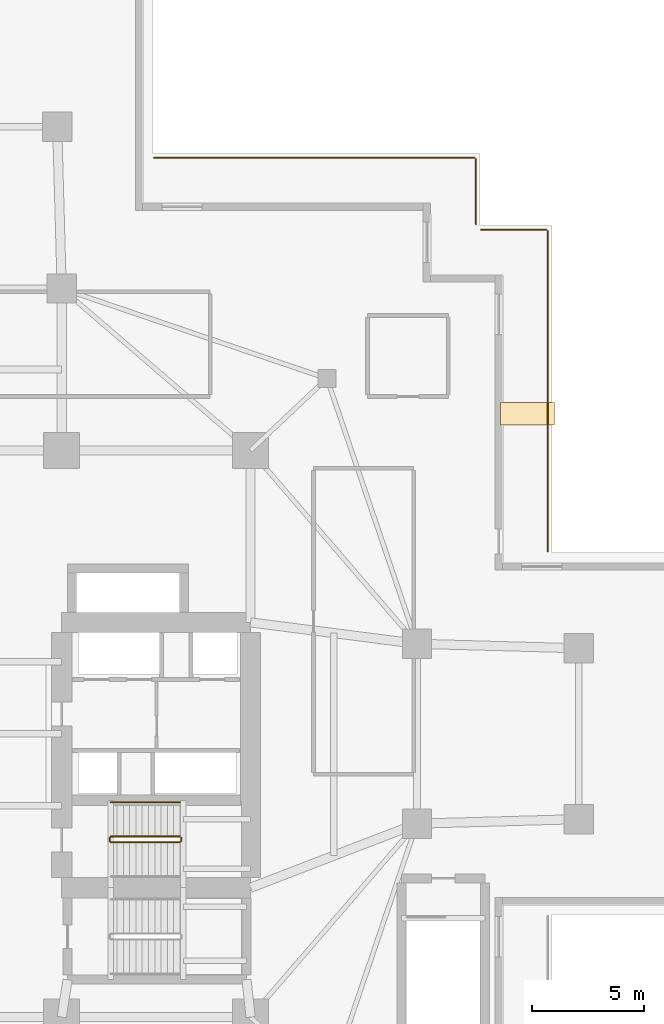
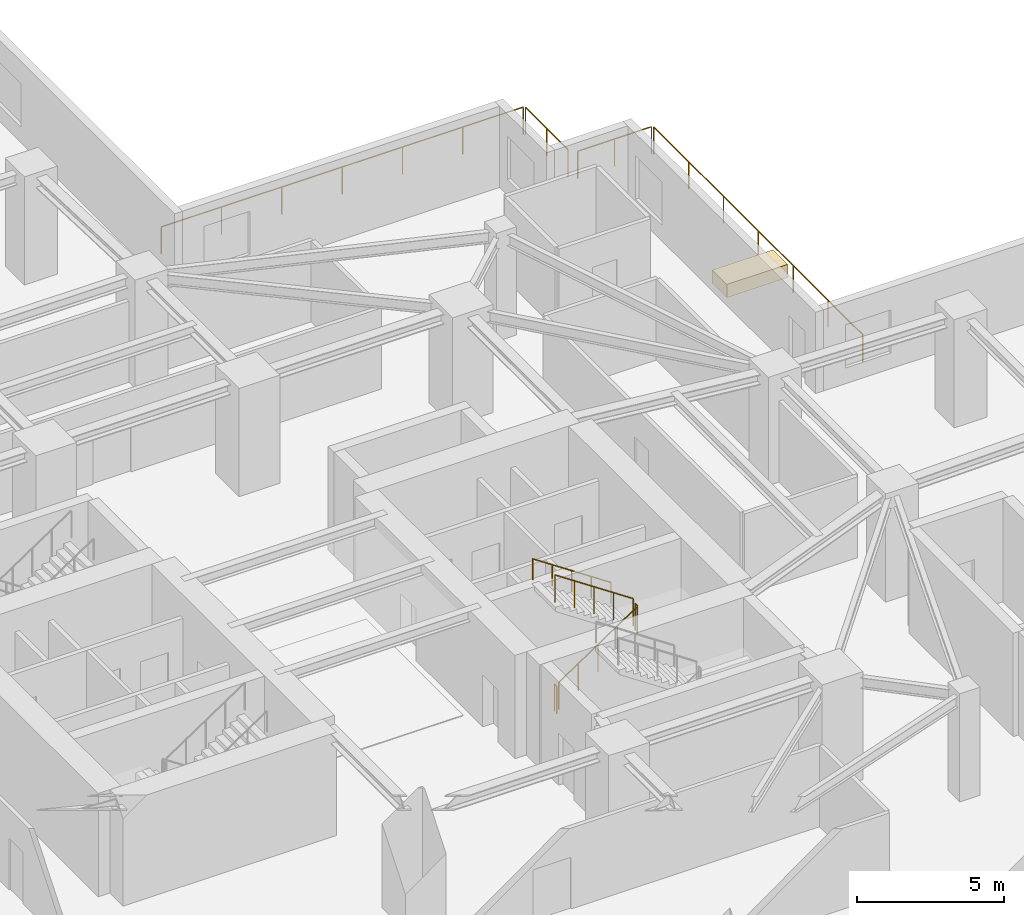
# One storey, part 23 of 24: 9 railings, 1 covering.
"""IFC4 building model written with IfcOpenShell, lengths in metres."""

from ifc_helpers import new_model, si_unit, direction, frame, origin, origin_2d, place, context, subcontext, project, spatial, rectangle, circle, extrude, material, layer, layer_set, type_object, element, save


model = new_model("IFC4")

# Units and contexts
model_context = context("Model", 3, precision=1e-05, world=origin(), true_north=direction((0.0, 1.0)))
body_context = subcontext(model_context, "Body", "Model", "MODEL_VIEW")
ifc_project = project(units=[si_unit("LENGTHUNIT", "METRE"), si_unit("AREAUNIT", "SQUARE_METRE"), si_unit("VOLUMEUNIT", "CUBIC_METRE"), si_unit("PLANEANGLEUNIT", "RADIAN"), si_unit("MASSUNIT", "GRAM", prefix="KILO")], contexts=[model_context])

# Site, building, storey
site_placement = place(None, origin())
site = spatial("IfcSite", under=ifc_project, at=site_placement, CompositionType="ELEMENT")
building_placement = place(site_placement, origin())
building = spatial("IfcBuilding", under=site, at=building_placement, Name="Qingluan Cross Belvedere", CompositionType="ELEMENT")
storey_placement = place(building_placement, frame((0.0, 0.0, 19.199951171875)))
storey = spatial("IfcBuildingStorey", under=building, at=storey_placement, Name="L05", CompositionType="ELEMENT", Elevation=19.199951171875)

# Railings
ifc_material_1 = material(Name="Brushed stainless steel tubular handrail", Category="steel")
railing_type_1 = type_object("IfcRailingType", Name="StairPitchHandrail_900", PredefinedType="HANDRAIL", material=ifc_material_1)
railing_1_placement = place(storey_placement, frame((9.260009765625, -3.050048828125, 2.4375)))
element("IfcRailing", 1, at=railing_1_placement, inside=storey, type_object=railing_type_1, Name="L05 ST2 stair handrail 2", PredefinedType="HANDRAIL", context=body_context, shape_type="SweptSolid", body=[
    extrude(circle(Radius=0.02392578125, at=origin_2d()), frame((0.0, 0.0, 0.8759765625), z_axis=(-0.830913701846, 0.0, 0.55640131208), x_axis=(0.0, -1.0, 0.0)), (0.0, 0.0, 1.0), 3.706787109375),
    extrude(circle(Radius=0.02099609375, at=origin_2d()), origin(), (0.0, 0.0, 1.0), 0.851806640625),
    extrude(circle(Radius=0.02099609375, at=origin_2d()), frame((-0.77001953125, 0.0, 0.515625)), (0.0, 0.0, 1.0), 0.851806640625),
    extrude(circle(Radius=0.02099609375, at=origin_2d()), frame((-1.5400390625, 0.0, 1.03125)), (0.0, 0.0, 1.0), 0.851806640625),
    extrude(circle(Radius=0.02099609375, at=origin_2d()), frame((-2.31005859375, 0.0, 1.546875)), (0.0, 0.0, 1.0), 0.851806640625),
    extrude(circle(Radius=0.02099609375, at=origin_2d()), frame((-3.080078125, 0.0, 2.0625)), (0.0, 0.0, 1.0), 0.851806640625),
])
ifc_material_2 = material(Name="Painted steel stair well guard", Category="steel")
railing_type_2 = type_object("IfcRailingType", Name="StairWellGuard_1150", PredefinedType="BALUSTRADE", material=ifc_material_2)
railing_2_placement = place(storey_placement, frame((6.179931640625, -4.830078125, 0.1875)))
element("IfcRailing", 2, at=railing_2_placement, inside=storey, type_object=railing_type_2, Name="L05 ST2 stair guard 1", PredefinedType="BALUSTRADE", context=body_context, shape_type="SweptSolid", body=[
    extrude(circle(Radius=0.02392578125, at=origin_2d()), frame((0.0, 0.0, 1.1259765625), z_axis=(0.830913701846, 0.0, 0.55640131208), x_axis=(0.0, 1.0, 0.0)), (0.0, 0.0, 1.0), 3.706787109375),
    extrude(circle(Radius=0.02099609375, at=origin_2d()), origin(), (0.0, 0.0, 1.0), 1.101806640625),
    extrude(circle(Radius=0.02099609375, at=origin_2d()), frame((0.77001953125, 0.0, 0.515625)), (0.0, 0.0, 1.0), 1.101806640625),
    extrude(circle(Radius=0.02099609375, at=origin_2d()), frame((1.5400390625, 0.0, 1.03125)), (0.0, 0.0, 1.0), 1.101806640625),
    extrude(circle(Radius=0.02099609375, at=origin_2d()), frame((2.31005859375, 0.0, 1.546875)), (0.0, 0.0, 1.0), 1.101806640625),
    extrude(circle(Radius=0.02099609375, at=origin_2d()), frame((3.080078125, 0.0, 2.0625)), (0.0, 0.0, 1.0), 1.101806640625),
])
railing_3_placement = place(storey_placement, frame((9.31005859375, -4.780029296875, 2.25)))
element("IfcRailing", 3, at=railing_3_placement, inside=storey, type_object=railing_type_2, Name="L05 ST2 stair guard 2", PredefinedType="BALUSTRADE", context=body_context, shape_type="SweptSolid", body=[
    extrude(circle(Radius=0.02392578125, at=origin_2d()), frame((0.0, 0.0, 1.1259765625), z_axis=(0.0, 1.0, 0.0), x_axis=(-1.0, 0.0, 0.0)), (0.0, 0.0, 1.0), 0.159912109375),
    extrude(circle(Radius=0.02099609375, at=origin_2d()), origin(), (0.0, 0.0, 1.0), 1.101806640625),
    extrude(circle(Radius=0.02099609375, at=origin_2d()), frame((0.0, 0.159912109375, 0.0)), (0.0, 0.0, 1.0), 1.101806640625),
])
railing_4_placement = place(storey_placement, frame((9.260009765625, -4.570068359375, 2.4375)))
element("IfcRailing", 4, at=railing_4_placement, inside=storey, type_object=railing_type_2, Name="L05 ST2 stair guard 3", PredefinedType="BALUSTRADE", context=body_context, shape_type="SweptSolid", body=[
    extrude(circle(Radius=0.02392578125, at=origin_2d()), frame((0.0, 0.0, 1.1259765625), z_axis=(-0.830913701846, 0.0, 0.55640131208), x_axis=(0.0, -1.0, 0.0)), (0.0, 0.0, 1.0), 3.706787109375),
    extrude(circle(Radius=0.02099609375, at=origin_2d()), origin(), (0.0, 0.0, 1.0), 1.101806640625),
    extrude(circle(Radius=0.02099609375, at=origin_2d()), frame((-0.77001953125, 0.0, 0.515625)), (0.0, 0.0, 1.0), 1.101806640625),
    extrude(circle(Radius=0.02099609375, at=origin_2d()), frame((-1.5400390625, 0.0, 1.03125)), (0.0, 0.0, 1.0), 1.101806640625),
    extrude(circle(Radius=0.02099609375, at=origin_2d()), frame((-2.31005859375, 0.0, 1.546875)), (0.0, 0.0, 1.0), 1.101806640625),
    extrude(circle(Radius=0.02099609375, at=origin_2d()), frame((-3.080078125, 0.0, 2.0625)), (0.0, 0.0, 1.0), 1.101806640625),
])
railing_5_placement = place(storey_placement, frame((6.1298828125, -4.780029296875, 0.0)))
element("IfcRailing", 5, at=railing_5_placement, inside=storey, type_object=railing_type_2, Name="L05 ST2 stair guard 4", PredefinedType="BALUSTRADE", context=body_context, shape_type="SweptSolid", body=[
    extrude(circle(Radius=0.02392578125, at=origin_2d()), frame((0.0, 0.0, 1.1259765625), z_axis=(0.0, 1.0, 0.0), x_axis=(-1.0, 0.0, 0.0)), (0.0, 0.0, 1.0), 0.159912109375),
    extrude(circle(Radius=0.02099609375, at=origin_2d()), origin(), (0.0, 0.0, 1.0), 1.101806640625),
    extrude(circle(Radius=0.02099609375, at=origin_2d()), frame((0.0, 0.159912109375, 0.0)), (0.0, 0.0, 1.0), 1.101806640625),
])
ifc_material_3 = material(Name="Laminated glass and stainless steel balustrade", Category="steel")
railing_type_3 = type_object("IfcRailingType", Name="TerraceGuardBalustrade_1150", PredefinedType="BALUSTRADE", material=ifc_material_3)
railing_6_placement = place(storey_placement, frame((8.110107421875, 25.6201171875, 0.0)))
element("IfcRailing", 6, at=railing_6_placement, inside=storey, type_object=railing_type_3, Name="Terrace guard L05-2", PredefinedType="BALUSTRADE", context=body_context, shape_type="SweptSolid", body=[
    extrude(circle(Radius=0.02392578125, at=origin_2d()), frame((0.0, 0.0, 1.1259765625), z_axis=(1.0, 0.0, 0.0), x_axis=(0.0, 1.0, 0.0)), (0.0, 0.0, 1.0), 14.25),
    extrude(circle(Radius=0.02099609375, at=origin_2d()), origin(), (0.0, 0.0, 1.0), 1.101806640625),
    extrude(circle(Radius=0.02099609375, at=origin_2d()), frame((2.375, 0.0, 0.0)), (0.0, 0.0, 1.0), 1.101806640625),
    extrude(circle(Radius=0.02099609375, at=origin_2d()), frame((4.75, 0.0, 0.0)), (0.0, 0.0, 1.0), 1.101806640625),
    extrude(circle(Radius=0.02099609375, at=origin_2d()), frame((7.125, 0.0, 0.0)), (0.0, 0.0, 1.0), 1.101806640625),
    extrude(circle(Radius=0.02099609375, at=origin_2d()), frame((9.5, 0.0, 0.0)), (0.0, 0.0, 1.0), 1.101806640625),
    extrude(circle(Radius=0.02099609375, at=origin_2d()), frame((11.875, 0.0, 0.0)), (0.0, 0.0, 1.0), 1.101806640625),
    extrude(circle(Radius=0.02099609375, at=origin_2d()), frame((14.25, 0.0, 0.0)), (0.0, 0.0, 1.0), 1.101806640625),
])
railing_7_placement = place(storey_placement, frame((22.419921875, 25.56005859375, 0.0)))
element("IfcRailing", 7, at=railing_7_placement, inside=storey, type_object=railing_type_3, Name="Terrace guard L05-3", PredefinedType="BALUSTRADE", context=body_context, shape_type="SweptSolid", body=[
    extrude(circle(Radius=0.02392578125, at=origin_2d()), frame((0.0, 0.0, 1.1259765625), z_axis=(0.0, -1.0, 0.0), x_axis=(1.0, 0.0, 0.0)), (0.0, 0.0, 1.0), 2.900146484375),
    extrude(circle(Radius=0.02099609375, at=origin_2d()), origin(), (0.0, 0.0, 1.0), 1.101806640625),
    extrude(circle(Radius=0.02099609375, at=origin_2d()), frame((0.0, -1.4501953125, 0.0)), (0.0, 0.0, 1.0), 1.101806640625),
    extrude(circle(Radius=0.02099609375, at=origin_2d()), frame((0.0, -2.900146484375, 0.0)), (0.0, 0.0, 1.0), 1.101806640625),
])
railing_8_placement = place(storey_placement, frame((22.659912109375, 22.419921875, 0.0)))
element("IfcRailing", 8, at=railing_8_placement, inside=storey, type_object=railing_type_3, Name="Terrace guard L05-4", PredefinedType="BALUSTRADE", context=body_context, shape_type="SweptSolid", body=[
    extrude(circle(Radius=0.02392578125, at=origin_2d()), frame((0.0, 0.0, 1.1259765625), z_axis=(1.0, 0.0, 0.0), x_axis=(0.0, 1.0, 0.0)), (0.0, 0.0, 1.0), 2.900146484375),
    extrude(circle(Radius=0.02099609375, at=origin_2d()), origin(), (0.0, 0.0, 1.0), 1.101806640625),
    extrude(circle(Radius=0.02099609375, at=origin_2d()), frame((1.4501953125, 0.0, 0.0)), (0.0, 0.0, 1.0), 1.101806640625),
    extrude(circle(Radius=0.02099609375, at=origin_2d()), frame((2.900146484375, 0.0, 0.0)), (0.0, 0.0, 1.0), 1.101806640625),
])
railing_9_placement = place(storey_placement, frame((25.6201171875, 22.360107421875, 0.0)))
element("IfcRailing", 9, at=railing_9_placement, inside=storey, type_object=railing_type_3, Name="Terrace guard L05-5", PredefinedType="BALUSTRADE", context=body_context, shape_type="SweptSolid", body=[
    extrude(circle(Radius=0.02392578125, at=origin_2d()), frame((0.0, 0.0, 1.1259765625), z_axis=(0.0, -1.0, 0.0), x_axis=(1.0, 0.0, 0.0)), (0.0, 0.0, 1.0), 14.25),
    extrude(circle(Radius=0.02099609375, at=origin_2d()), origin(), (0.0, 0.0, 1.0), 1.101806640625),
    extrude(circle(Radius=0.02099609375, at=origin_2d()), frame((0.0, -2.375, 0.0)), (0.0, 0.0, 1.0), 1.101806640625),
    extrude(circle(Radius=0.02099609375, at=origin_2d()), frame((0.0, -4.75, 0.0)), (0.0, 0.0, 1.0), 1.101806640625),
    extrude(circle(Radius=0.02099609375, at=origin_2d()), frame((0.0, -7.125, 0.0)), (0.0, 0.0, 1.0), 1.101806640625),
    extrude(circle(Radius=0.02099609375, at=origin_2d()), frame((0.0, -9.5, 0.0)), (0.0, 0.0, 1.0), 1.101806640625),
    extrude(circle(Radius=0.02099609375, at=origin_2d()), frame((0.0, -11.875, 0.0)), (0.0, 0.0, 1.0), 1.101806640625),
    extrude(circle(Radius=0.02099609375, at=origin_2d()), frame((0.0, -14.25, 0.0)), (0.0, 0.0, 1.0), 1.101806640625),
])

# Covering
ifc_material_4 = material(Name="Precast concrete C40", Category="concrete")
ifc_layer = layer(ifc_material_4, 0.550048828125, Name="TerracePlanterBox")
ifc_layer_set = layer_set([ifc_layer], Name="Precast concrete C40")
covering_type = type_object("IfcCoveringType", Name="TerracePlanterBox", PredefinedType="USERDEFINED", material=ifc_layer_set)
covering_placement = place(storey_placement, frame((24.7099609375, 14.22705078125, 0.0), z_axis=(0.0, 0.0, 1.0), x_axis=(1.0, 0.0, 0.0)))
element("IfcCovering", 10, at=covering_placement, inside=storey, type_object=covering_type, Name="Cascading garden terrace planter L05-1", ObjectType="PLANTER", PredefinedType="USERDEFINED", context=body_context, shape_type="SweptSolid", body=[
    extrude(rectangle(XDim=2.39990234375, YDim=1.0, at=origin_2d()), origin(), (0.0, 0.0, 1.0), 0.550048828125),
])

save(model, "model.ifc")
